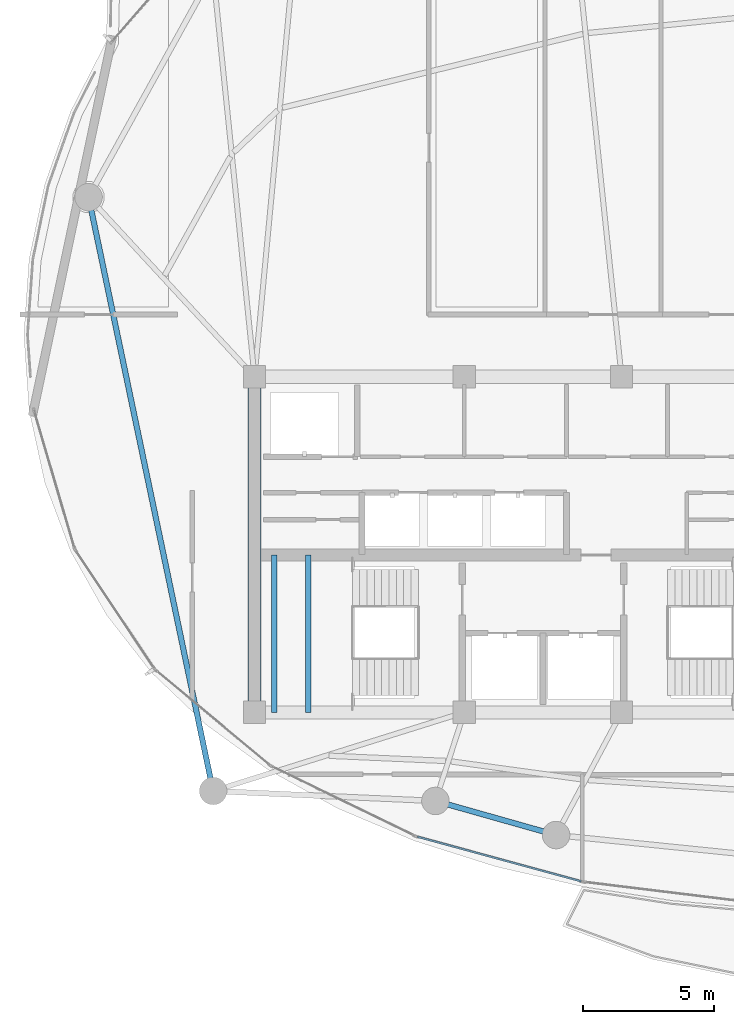
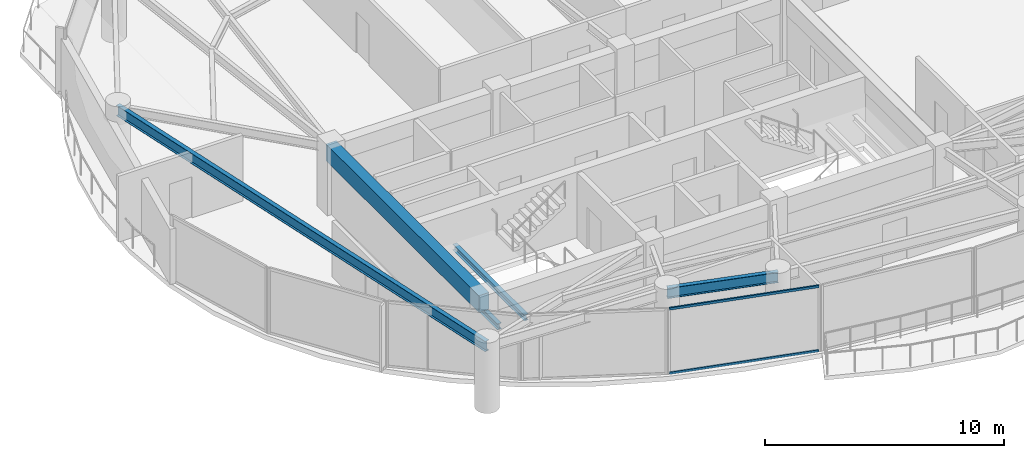
# One storey, part 4 of 28: 5 beams, 2 members, 1 element without a shape of its own.
"""IFC4 building model written with IfcOpenShell, lengths in metres."""

from ifc_helpers import new_model, si_unit, direction, frame, origin, origin_2d, place, context, subcontext, project, spatial, rectangle, hollow_rectangle, i_section, extrude, material, layer, layer_set, material_profile, profile_set, type_object, element, aggregate, save


model = new_model("IFC4")

# Units and contexts
model_context = context("Model", 3, precision=1e-05, world=origin(), true_north=direction((0.0, 1.0)))
body_context = subcontext(model_context, "Body", "Model", "MODEL_VIEW")
ifc_project = project(units=[si_unit("LENGTHUNIT", "METRE"), si_unit("AREAUNIT", "SQUARE_METRE"), si_unit("VOLUMEUNIT", "CUBIC_METRE"), si_unit("PLANEANGLEUNIT", "RADIAN"), si_unit("MASSUNIT", "GRAM", prefix="KILO")], contexts=[model_context])

# Site, building, storey
site_placement = place(None, origin())
site = spatial("IfcSite", under=ifc_project, at=site_placement, CompositionType="ELEMENT")
building_placement = place(site_placement, origin())
building = spatial("IfcBuilding", under=site, at=building_placement, Name="Kazevale Care Tower and Concert Hall", CompositionType="ELEMENT")
storey_placement = place(building_placement, frame((0.0, 0.0, 246.0)))
storey = spatial("IfcBuildingStorey", under=building, at=storey_placement, Name="L65", CompositionType="ELEMENT", Elevation=246.0)

# Curtain wall, members
ifc_material_1 = material(Name="Aluminium 6063-T6 and Low-E Glass", Category="aluminium")
ifc_layer = layer(ifc_material_1, 0.179931640625)
ifc_layer_set = layer_set([ifc_layer], Name="Aluminium 6063-T6 and Low-E Glass")
curtain_wall_type = type_object("IfcCurtainWallType", Name="Sheltered Concave Balcony Curtain Wall CW-5", PredefinedType="NOTDEFINED", material=ifc_layer_set)
curtain_wall_placement = place(storey_placement, origin())
curtain_wall = element("IfcCurtainWall", 1, at=curtain_wall_placement, inside=storey, type_object=curtain_wall_type, Name="cw:L65:f08", PredefinedType="NOTDEFINED")
ifc_material_2 = material(Name="Aluminium 6063-T6", Category="aluminium")
ifc_material_profile_1 = material_profile(ifc_material_2, hollow_rectangle(XDim=0.074951171875, YDim=0.1201171875, WallThickness=0.00390625, at=origin_2d()), Name="ALU75x120x4")
ifc_profile_set_1 = profile_set([ifc_material_profile_1], Name="Aluminium 6063-T6")
member_type = type_object("IfcMemberType", Name="CW-5 Transom ALU75x120x4", PredefinedType="USERDEFINED", material=ifc_profile_set_1)
member_1_placement = place(storey_placement, frame((34.458740234375, 17.15283203125, 0.03759765625), z_axis=(-0.964843890632, 0.262823641842, 0.0), x_axis=(-0.262823641842, -0.964843890632, 0.0)))
member_1 = element("IfcMember", 2, at=member_1_placement, type_object=member_type, Name="CW-5 transom 1.1", ObjectType="TRANSOM", PredefinedType="USERDEFINED", context=body_context, shape_type="SweptSolid", body=[
    extrude(hollow_rectangle(XDim=0.074951171875, YDim=0.1201171875, WallThickness=0.00390625, at=origin_2d()), origin(), (0.0, 0.0, 1.0), 6.469970703125),
])
member_2_placement = place(storey_placement, frame((34.458740234375, 17.15283203125, 3.322509765625), z_axis=(-0.964843890632, 0.262823641842, 0.0), x_axis=(-0.262823641842, -0.964843890632, 0.0)))
member_2 = element("IfcMember", 3, at=member_2_placement, type_object=member_type, Name="CW-5 transom 1.2", ObjectType="TRANSOM", PredefinedType="USERDEFINED", context=body_context, shape_type="SweptSolid", body=[
    extrude(hollow_rectangle(XDim=0.074951171875, YDim=0.1201171875, WallThickness=0.00390625, at=origin_2d()), origin(), (0.0, 0.0, 1.0), 6.469970703125),
])
aggregate(curtain_wall, [member_1, member_2])

# Beams
ifc_material_3 = material(Name="Concrete C60", Category="concrete")
ifc_material_profile_2 = material_profile(ifc_material_3, rectangle(XDim=0.5, YDim=0.85009765625, at=origin_2d()), Name="RC-B500x850")
ifc_profile_set_2 = profile_set([ifc_material_profile_2], Name="Concrete C60")
beam_type_1 = type_object("IfcBeamType", Name="Core Coupling Beam RC500x850", PredefinedType="LINTEL", material=ifc_profile_set_2)
beam_1_placement = place(storey_placement, frame((22.0, 36.39990234375, 2.93505859375), z_axis=(0.0, -1.0, 0.0), x_axis=(1.0, 0.0, 0.0)))
element("IfcBeam", 4, at=beam_1_placement, inside=storey, type_object=beam_type_1, Name="beam:L65:coretie:8", PredefinedType="LINTEL", context=body_context, shape_type="SweptSolid", body=[
    extrude(rectangle(XDim=0.5, YDim=0.85009765625, at=origin_2d()), origin(), (0.0, 0.0, 1.0), 12.7998046875),
])
ifc_material_4 = material(Name="Steel ASTM A572 Gr 50", Category="steel")
ifc_material_profile_3 = material_profile(ifc_material_4, i_section(OverallWidth=0.202880859375, OverallDepth=0.302978515625, WebThickness=0.007568359375, FlangeThickness=0.01318359375, at=origin_2d()), Name="W310x60")
ifc_profile_set_3 = profile_set([ifc_material_profile_3], Name="Steel ASTM A572 Gr 50")
beam_type_2 = type_object("IfcBeamType", Name="Stair & Balcony Trimmer W310x60", PredefinedType="BEAM", material=ifc_profile_set_3)
for number, where, z_axis, x_axis, name in (
    (5, (22.75, 23.60009765625, 1.448486328125), (0.0, 1.0, 0.0), (-1.0, 0.0, 0.0), "beam:L65:sttrim:ST1"),
    (6, (24.050048828125, 23.60009765625, 1.448486328125), (0.0, 1.0, 0.0), (-1.0, 0.0, 0.0), "beam:L65:sttrim:ST1b"),
):
    element("IfcBeam", number, at=place(storey_placement, frame(where, z_axis=z_axis, x_axis=x_axis)), inside=storey, type_object=beam_type_2, Name=name, PredefinedType="BEAM", context=body_context, shape_type="SweptSolid", body=[
        extrude(i_section(OverallWidth=0.202880859375, OverallDepth=0.302978515625, WebThickness=0.007568359375, FlangeThickness=0.01318359375, at=origin_2d()), origin(), (0.0, 0.0, 1.0), 6.0),
    ])
ifc_material_profile_4 = material_profile(ifc_material_4, i_section(OverallWidth=0.208984375, OverallDepth=0.532958984375, WebThickness=0.01025390625, FlangeThickness=0.015625, at=origin_2d()), Name="W530x92")
ifc_profile_set_4 = profile_set([ifc_material_profile_4], Name="Steel ASTM A572 Gr 50")
beam_type_3 = type_object("IfcBeamType", Name="Upper Ring Beam W530x92", PredefinedType="BEAM", material=ifc_profile_set_4)
beam_2_placement = place(storey_placement, frame((15.669921875, 43.25, 3.093505859375), z_axis=(0.205249071222, -0.978709772488, 0.0), x_axis=(0.978709772488, 0.205249071222, 0.0)))
element("IfcBeam", 7, at=beam_2_placement, inside=storey, type_object=beam_type_3, Name="beam:L65:ring:09", PredefinedType="BEAM", context=body_context, shape_type="SweptSolid", body=[
    extrude(i_section(OverallWidth=0.208984375, OverallDepth=0.532958984375, WebThickness=0.01025390625, FlangeThickness=0.015625, at=origin_2d()), origin(), (0.0, 0.0, 1.0), 23.142578125),
])
beam_3_placement = place(storey_placement, frame((28.89990234375, 20.219970703125, 3.093505859375), z_axis=(0.962308240836, -0.271961117846, 0.0), x_axis=(0.271961117846, 0.962308240836, 0.0)))
element("IfcBeam", 8, at=beam_3_placement, inside=storey, type_object=beam_type_3, Name="beam:L65:ring:11", PredefinedType="BEAM", context=body_context, shape_type="SweptSolid", body=[
    extrude(i_section(OverallWidth=0.208984375, OverallDepth=0.532958984375, WebThickness=0.01025390625, FlangeThickness=0.015625, at=origin_2d()), origin(), (0.0, 0.0, 1.0), 4.7802734375),
])

save(model, "model.ifc")
